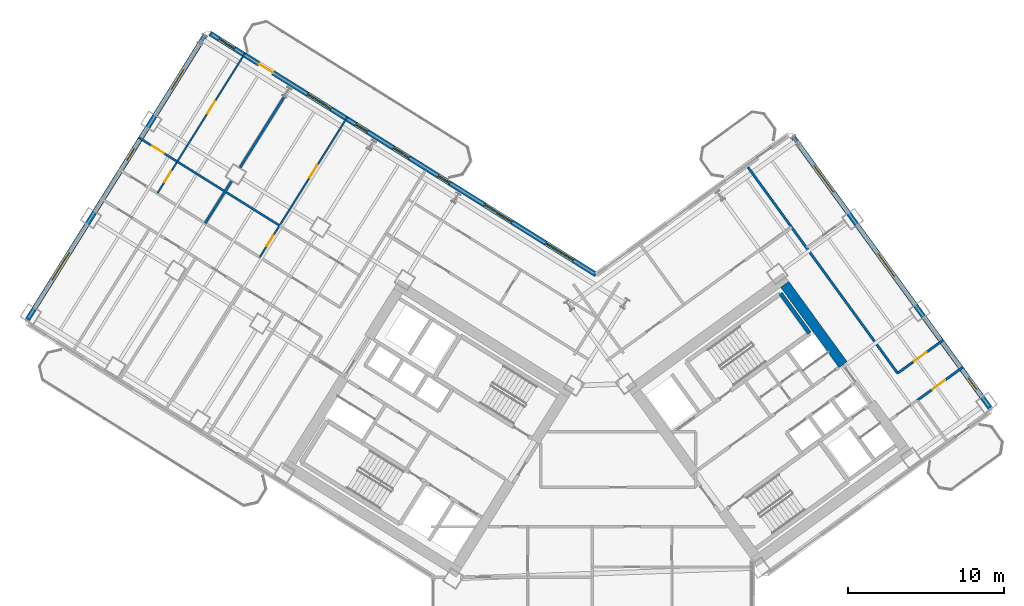
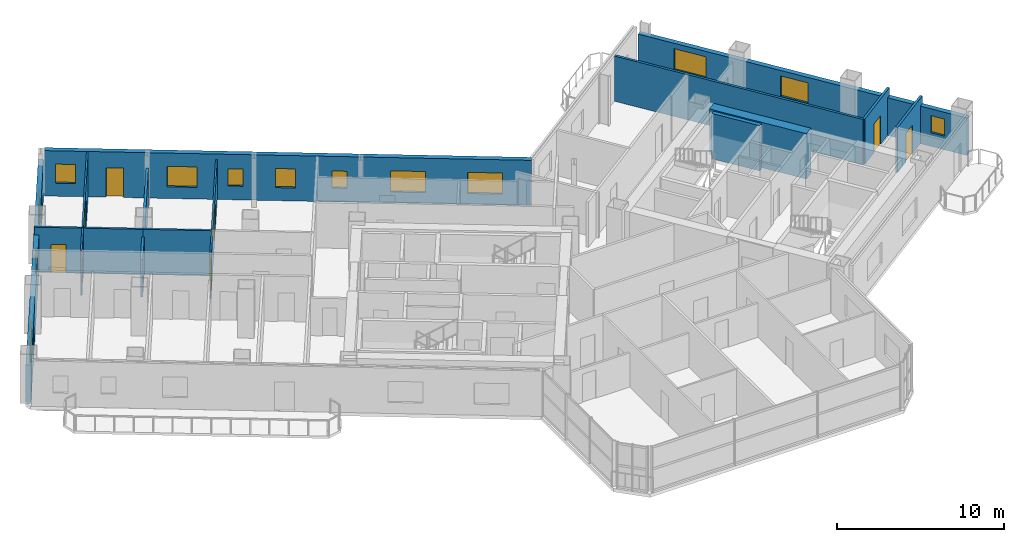
# One storey, part 15 of 21: 15 walls, 13 windows, 8 doors, 21 openings.
"""IFC4 building model written with IfcOpenShell, lengths in metres."""

from ifc_helpers import new_model, si_unit, direction, frame, frame_2d, origin, place, context, subcontext, project, spatial, rectangle, extrude, source, transform, mapped, material, layer, layer_set, type_object, element, fill, save


model = new_model("IFC4")

# Units and contexts
model_context = context("Model", 3, precision=1e-05, world=origin(), true_north=direction((0.0, 1.0)))
body_context = subcontext(model_context, "Body", "Model", "MODEL_VIEW")
ifc_project = project(units=[si_unit("LENGTHUNIT", "METRE"), si_unit("AREAUNIT", "SQUARE_METRE"), si_unit("VOLUMEUNIT", "CUBIC_METRE"), si_unit("PLANEANGLEUNIT", "RADIAN"), si_unit("MASSUNIT", "GRAM", prefix="KILO")], contexts=[model_context])

# Site, building, storey
site_placement = place(None, origin())
site = spatial("IfcSite", under=ifc_project, at=site_placement, CompositionType="ELEMENT")
building_placement = place(site_placement, origin())
building = spatial("IfcBuilding", under=site, at=building_placement, Name="Tlacorven Tower", CompositionType="ELEMENT")
storey_placement = place(building_placement, frame((0.0, 0.0, 81.0)))
storey = spatial("IfcBuildingStorey", under=building, at=storey_placement, Name="L20", CompositionType="ELEMENT", Elevation=81.0)

# Walls
ifc_material_1 = material(Name="Concrete C60/75", Category="concrete")
ifc_layer_1 = layer(ifc_material_1, 0.64990234375)
ifc_layer_set_1 = layer_set([ifc_layer_1], Name="Concrete C60/75")
wall_type_1 = type_object("IfcWallType", Name="WL-COR-650", PredefinedType="SHEAR", material=ifc_layer_set_1)
wall_1_placement = place(storey_placement, frame((58.06396484375, 25.8134765625, 0.0), z_axis=(0.0, 0.0, 1.0), x_axis=(-0.58777996584, 0.809020835181, 0.0)))
element("IfcWall", 1, at=wall_1_placement, inside=storey, type_object=wall_type_1, Name="L20 E core end wall E2.2", PredefinedType="SHEAR", context=body_context, shape_type="SweptSolid", body=[
    extrude(rectangle(XDim=6.375, YDim=0.64990234375, at=frame_2d((3.1875, 0.0))), origin(), (0.0, 0.0, 1.0), 3.320068359375),
])
ifc_material_2 = material(Name="Gypsum plasterboard acoustic partition", Category="gypsum")
ifc_layer_2 = layer(ifc_material_2, 0.159912109375)
ifc_layer_set_2 = layer_set([ifc_layer_2], Name="Gypsum plasterboard acoustic partition")
wall_type_2 = type_object("IfcWallType", Name="WL-DEM-160", PredefinedType="PARTITIONING", material=ifc_layer_set_2)
wall_2_placement = place(storey_placement, frame((22.179931640625, 43.00634765625, 0.0), z_axis=(0.0, 0.0, 1.0), x_axis=(-0.529937421401, -0.848036750028, 0.0)))
element("IfcWall", 2, at=wall_2_placement, inside=storey, type_object=wall_type_2, Name="L20 WS Demising Wall 1", PredefinedType="PARTITIONING", context=body_context, shape_type="SweptSolid", body=[
    extrude(rectangle(XDim=5.35107421875, YDim=0.159912109375, at=frame_2d((2.675537109375, 0.0))), origin(), (0.0, 0.0, 1.0), 2.7451171875),
])
wall_3_placement = place(storey_placement, frame((18.801513671875, 37.60009765625, 0.0), z_axis=(0.0, 0.0, 1.0), x_axis=(-0.529875025416, -0.848075738033, 0.0)))
element("IfcWall", 3, at=wall_3_placement, inside=storey, type_object=wall_type_2, Name="L20 WS Demising Wall 1", PredefinedType="PARTITIONING", context=body_context, shape_type="SweptSolid", body=[
    extrude(rectangle(XDim=3.18798828125, YDim=0.159912109375, at=frame_2d((1.593994140625, 0.0))), origin(), (0.0, 0.0, 1.0), 2.7451171875),
])
wall_4_placement = place(storey_placement, frame((61.564208984375, 25.266357421875, 0.0), z_axis=(0.0, 0.0, 1.0), x_axis=(-0.587784527444, 0.809017521007, 0.0)))
element("IfcWall", 4, at=wall_4_placement, inside=storey, type_object=wall_type_2, Name="L20 partition 94", PredefinedType="PARTITIONING", context=body_context, shape_type="SweptSolid", body=[
    extrude(rectangle(XDim=16.35009765625, YDim=0.159912109375, at=frame_2d((8.175048828125, 0.0))), origin(), (0.0, 0.0, 1.0), 3.31005859375),
])

# Wall, opening, door
wall_5_placement = place(storey_placement, frame((62.827880859375, 23.52685546875, 0.0), z_axis=(0.0, 0.0, 1.0), x_axis=(0.809003564202, 0.587803736896, 0.0)))
wall_5 = element("IfcWall", 5, at=wall_5_placement, inside=storey, type_object=wall_type_2, Name="L20 partition 96", PredefinedType="PARTITIONING", context=body_context, shape_type="SweptSolid", body=[
    extrude(rectangle(XDim=3.630126953125, YDim=0.159912109375, at=frame_2d((1.81494140625, 0.0))), origin(), (0.0, 0.0, 1.0), 3.31005859375),
])
opening_1_placement = place(wall_5_placement, frame((1.199951171875, 0.0, 0.0)))
opening_1 = element("IfcOpeningElement", 6, at=opening_1_placement, cuts=wall_5, Name="Opening D11", PredefinedType="OPENING", context=body_context, shape_type="SweptSolid", body=[
    extrude(rectangle(XDim=1.0, YDim=2.10009765625, at=frame_2d((0.5, 1.050048828125))), frame((0.0, 0.08984375, 0.0), z_axis=(0.0, -1.0, 0.0), x_axis=(1.0, 0.0, 0.0)), (0.0, 0.0, 1.0), 0.179931640625),
])
ifc_material_3 = material(Name="Fire-rated steel door assembly", Category="steel")
door_type_1 = type_object("IfcDoorType", Name="DR-FLT-FD60-1000", OperationType="NOTDEFINED", PredefinedType="DOOR", material=ifc_material_3)
shared_shape_1 = source(origin(), body_context, "Body", "SweptSolid", [
    extrude(rectangle(XDim=1.0, YDim=2.10009765625, at=frame_2d((0.5, 1.050048828125))), frame((0.0, 0.02490234375, 0.0), z_axis=(0.0, -1.0, 0.0), x_axis=(1.0, 0.0, 0.0)), (0.0, 0.0, 1.0), 0.050048828125),
])
door_1_placement = place(opening_1_placement, frame((1.0, 0.0, 0.0), z_axis=(0.0, 0.0, 1.0), x_axis=(-1.0, 0.0, 0.0)))
door_1 = element("IfcDoor", 7, at=door_1_placement, inside=storey, type_object=door_type_1, Name="L20 door 059", OperationType="SINGLE_SWING_LEFT", OverallHeight=2.10009765625, OverallWidth=1.0, PredefinedType="DOOR", context=body_context, shape_type="MappedRepresentation", body=[
    mapped(shared_shape_1, transform((0.0, 0.0, 0.0), scale=1.0)),
])
fill(opening_1, door_1)

wall_6_placement = place(storey_placement, frame((61.564208984375, 25.266357421875, 0.0), z_axis=(0.0, 0.0, 1.0), x_axis=(0.809012309495, 0.587791700422, 0.0)))
wall_6 = element("IfcWall", 8, at=wall_6_placement, inside=storey, type_object=wall_type_2, Name="L20 partition 97", PredefinedType="PARTITIONING", context=body_context, shape_type="SweptSolid", body=[
    extrude(rectangle(XDim=3.6298828125, YDim=0.159912109375, at=frame_2d((1.81494140625, 0.0))), origin(), (0.0, 0.0, 1.0), 3.31005859375),
])
opening_2_placement = place(wall_6_placement, frame((1.304931640625, 0.0, 0.0)))
opening_2 = element("IfcOpeningElement", 9, at=opening_2_placement, cuts=wall_6, Name="Opening D11", PredefinedType="OPENING", context=body_context, shape_type="SweptSolid", body=[
    extrude(rectangle(XDim=1.0, YDim=2.10009765625, at=frame_2d((0.5, 1.050048828125))), frame((0.0, 0.08984375, 0.0), z_axis=(0.0, -1.0, 0.0), x_axis=(1.0, 0.0, 0.0)), (0.0, 0.0, 1.0), 0.179931640625),
])
door_2_placement = place(opening_2_placement, origin())
door_2 = element("IfcDoor", 10, at=door_2_placement, inside=storey, type_object=door_type_1, Name="L20 door 057", OperationType="SINGLE_SWING_LEFT", OverallHeight=2.10009765625, OverallWidth=1.0, PredefinedType="DOOR", context=body_context, shape_type="MappedRepresentation", body=[
    mapped(shared_shape_1, transform((0.0, 0.0, 0.0), scale=1.0)),
])
fill(opening_2, door_2)

# Wall, openings, windows
ifc_material_4 = material(Name="Precast concrete C45/55", Category="concrete")
ifc_layer_3 = layer(ifc_material_4, 0.320068359375)
ifc_layer_set_3 = layer_set([ifc_layer_3], Name="Precast concrete C45/55")
wall_type_3 = type_object("IfcWallType", Name="WL-EXT-320", PredefinedType="STANDARD", material=ifc_layer_set_3)
wall_7_placement = place(storey_placement, frame((5.699951171875, 28.71044921875, 0.0), z_axis=(0.0, 0.0, 1.0), x_axis=(0.529923711467, 0.8480453172, 0.0)))
wall_7 = element("IfcWall", 11, at=wall_7_placement, inside=storey, type_object=wall_type_3, Name="L20 Masonry-Frame Recessed Facade Wall 2", PredefinedType="STANDARD", context=body_context, shape_type="SweptSolid", body=[
    extrude(rectangle(XDim=21.58740234375, YDim=0.320068359375, at=frame_2d((10.793701171875, 0.0))), origin(), (0.0, 0.0, 1.0), 2.7451171875),
])
opening_3_placement = place(wall_7_placement, frame((2.99365234375, 0.0, 0.800048828125)))
opening_3 = element("IfcOpeningElement", 12, at=opening_3_placement, cuts=wall_7, Name="Opening WN04", PredefinedType="OPENING", context=body_context, shape_type="SweptSolid", body=[
    extrude(rectangle(XDim=2.10009765625, YDim=1.550048828125, at=frame_2d((1.050048828125, 0.77490234375))), frame((0.0, 0.169921875, 0.0), z_axis=(0.0, -1.0, 0.0), x_axis=(1.0, 0.0, 0.0)), (0.0, 0.0, 1.0), 0.340087890625),
])
opening_4_placement = place(wall_7_placement, frame((12.048583984375, 0.0, 1.0)))
opening_4 = element("IfcOpeningElement", 13, at=opening_4_placement, cuts=wall_7, Name="Opening WN05", PredefinedType="OPENING", context=body_context, shape_type="SweptSolid", body=[
    extrude(rectangle(XDim=0.89990234375, YDim=1.25, at=frame_2d((0.449951171875, 0.625))), frame((0.0, 0.169921875, 0.0), z_axis=(0.0, -1.0, 0.0), x_axis=(1.0, 0.0, 0.0)), (0.0, 0.0, 1.0), 0.340087890625),
])
opening_5_placement = place(wall_7_placement, frame((17.43115234375, 0.0, 0.85009765625)))
opening_5 = element("IfcOpeningElement", 14, at=opening_5_placement, cuts=wall_7, Name="Opening WN02", PredefinedType="OPENING", context=body_context, shape_type="SweptSolid", body=[
    extrude(rectangle(XDim=1.5, YDim=1.5, at=frame_2d((0.75, 0.75))), frame((0.0, 0.169921875, 0.0), z_axis=(0.0, -1.0, 0.0), x_axis=(1.0, 0.0, 0.0)), (0.0, 0.0, 1.0), 0.340087890625),
])
ifc_material_5 = material(Name="Dark solar low-E double glazing in anodised aluminium frame", Category="aluminium")
window_type_1 = type_object("IfcWindowType", Name="WN-APT-2100X1750", PartitioningType="SINGLE_PANEL", PredefinedType="WINDOW", material=ifc_material_5)
shared_shape_2 = source(origin(), body_context, "Body", "SweptSolid", [
    extrude(rectangle(XDim=2.10009765625, YDim=1.550048828125, at=frame_2d((1.050048828125, 0.77490234375))), frame((0.0, 0.030029296875, 0.0), z_axis=(0.0, -1.0, 0.0), x_axis=(1.0, 0.0, 0.0)), (0.0, 0.0, 1.0), 0.06005859375),
])
window_1_placement = place(opening_3_placement, origin())
window_1 = element("IfcWindow", 15, at=window_1_placement, inside=storey, type_object=window_type_1, Name="L20 Recessed Masonry-Frame Window L20-02.1", OverallHeight=1.550048828125, OverallWidth=2.10009765625, PartitioningType="SINGLE_PANEL", PredefinedType="WINDOW", context=body_context, shape_type="MappedRepresentation", body=[
    mapped(shared_shape_2, transform((0.0, 0.0, 0.0), scale=1.0)),
])
fill(opening_3, window_1)
window_type_2 = type_object("IfcWindowType", Name="WN-APT-1500X1650", PartitioningType="SINGLE_PANEL", PredefinedType="WINDOW", material=ifc_material_5)
shared_shape_3 = source(origin(), body_context, "Body", "SweptSolid", [
    extrude(rectangle(XDim=1.5, YDim=1.5, at=frame_2d((0.75, 0.75))), frame((0.0, 0.030029296875, 0.0), z_axis=(0.0, -1.0, 0.0), x_axis=(1.0, 0.0, 0.0)), (0.0, 0.0, 1.0), 0.06005859375),
])
window_2_placement = place(opening_5_placement, origin())
window_2 = element("IfcWindow", 16, at=window_2_placement, inside=storey, type_object=window_type_2, Name="L20 Recessed Masonry-Frame Window L20-02.3", OverallHeight=1.5, OverallWidth=1.5, PartitioningType="SINGLE_PANEL", PredefinedType="WINDOW", context=body_context, shape_type="MappedRepresentation", body=[
    mapped(shared_shape_3, transform((0.0, 0.0, 0.0), scale=1.0)),
])
fill(opening_5, window_2)
window_type_3 = type_object("IfcWindowType", Name="WN-APT-0900X1350", PartitioningType="SINGLE_PANEL", PredefinedType="WINDOW", material=ifc_material_5)
shared_shape_4 = source(origin(), body_context, "Body", "SweptSolid", [
    extrude(rectangle(XDim=0.89990234375, YDim=1.25, at=frame_2d((0.449951171875, 0.625))), frame((0.0, 0.030029296875, 0.0), z_axis=(0.0, -1.0, 0.0), x_axis=(1.0, 0.0, 0.0)), (0.0, 0.0, 1.0), 0.06005859375),
])
window_3_placement = place(opening_4_placement, origin())
window_3 = element("IfcWindow", 17, at=window_3_placement, inside=storey, type_object=window_type_3, Name="L20 Recessed Masonry-Frame Window L20-02.2", OverallHeight=1.25, OverallWidth=0.89990234375, PartitioningType="SINGLE_PANEL", PredefinedType="WINDOW", context=body_context, shape_type="MappedRepresentation", body=[
    mapped(shared_shape_4, transform((0.0, 0.0, 0.0), scale=1.0)),
])
fill(opening_4, window_3)

# Wall, openings, door, windows
wall_8_placement = place(storey_placement, frame((17.423828125, 47.083251953125, 0.0), z_axis=(0.0, 0.0, 1.0), x_axis=(0.848049927979, -0.529916332693, 0.0)))
wall_8 = element("IfcWall", 18, at=wall_8_placement, inside=storey, type_object=wall_type_3, Name="L20 Masonry-Frame Recessed Facade Wall 3", PredefinedType="STANDARD", context=body_context, shape_type="SweptSolid", body=[
    extrude(rectangle(XDim=29.22314453125, YDim=0.320068359375, at=frame_2d((14.611572265625, 0.0))), origin(), (0.0, 0.0, 1.0), 3.320068359375),
])
opening_6_placement = place(wall_8_placement, frame((3.708740234375, 0.0, 0.0)))
opening_6 = element("IfcOpeningElement", 19, at=opening_6_placement, cuts=wall_8, Name="Opening D06", PredefinedType="OPENING", context=body_context, shape_type="SweptSolid", body=[
    extrude(rectangle(XDim=1.050048828125, YDim=2.14990234375, at=frame_2d((0.52490234375, 1.074951171875))), frame((0.0, 0.169921875, 0.0), z_axis=(0.0, -1.0, 0.0), x_axis=(1.0, 0.0, 0.0)), (0.0, 0.0, 1.0), 0.340087890625),
])
opening_7_placement = place(wall_8_placement, frame((0.659423828125, 0.0, 0.949951171875)))
opening_7 = element("IfcOpeningElement", 20, at=opening_7_placement, cuts=wall_8, Name="Opening WN03", PredefinedType="OPENING", context=body_context, shape_type="SweptSolid", body=[
    extrude(rectangle(XDim=1.199951171875, YDim=1.39990234375, at=frame_2d((0.60009765625, 0.699951171875))), frame((0.0, 0.169921875, 0.0), z_axis=(0.0, -1.0, 0.0), x_axis=(1.0, 0.0, 0.0)), (0.0, 0.0, 1.0), 0.340087890625),
])
opening_8_placement = place(wall_8_placement, frame((7.36865234375, 0.0, 0.85009765625)))
opening_8 = element("IfcOpeningElement", 21, at=opening_8_placement, cuts=wall_8, Name="Opening WN01", PredefinedType="OPENING", context=body_context, shape_type="SweptSolid", body=[
    extrude(rectangle(XDim=1.800048828125, YDim=1.5, at=frame_2d((0.89990234375, 0.75))), frame((0.0, 0.169921875, 0.0), z_axis=(0.0, -1.0, 0.0), x_axis=(1.0, 0.0, 0.0)), (0.0, 0.0, 1.0), 0.340087890625),
])
opening_9_placement = place(wall_8_placement, frame((11.0087890625, 0.0, 1.0)))
opening_9 = element("IfcOpeningElement", 22, at=opening_9_placement, cuts=wall_8, Name="Opening WN05", PredefinedType="OPENING", context=body_context, shape_type="SweptSolid", body=[
    extrude(rectangle(XDim=0.89990234375, YDim=1.25, at=frame_2d((0.449951171875, 0.625))), frame((0.0, 0.169921875, 0.0), z_axis=(0.0, -1.0, 0.0), x_axis=(1.0, 0.0, 0.0)), (0.0, 0.0, 1.0), 0.340087890625),
])
opening_10_placement = place(wall_8_placement, frame((13.873779296875, 0.0, 0.949951171875)))
opening_10 = element("IfcOpeningElement", 23, at=opening_10_placement, cuts=wall_8, Name="Opening WN03", PredefinedType="OPENING", context=body_context, shape_type="SweptSolid", body=[
    extrude(rectangle(XDim=1.199951171875, YDim=1.39990234375, at=frame_2d((0.60009765625, 0.699951171875))), frame((0.0, 0.169921875, 0.0), z_axis=(0.0, -1.0, 0.0), x_axis=(1.0, 0.0, 0.0)), (0.0, 0.0, 1.0), 0.340087890625),
])
opening_11_placement = place(wall_8_placement, frame((17.253662109375, 0.0, 1.0)))
opening_11 = element("IfcOpeningElement", 24, at=opening_11_placement, cuts=wall_8, Name="Opening WN05", PredefinedType="OPENING", context=body_context, shape_type="SweptSolid", body=[
    extrude(rectangle(XDim=0.89990234375, YDim=1.25, at=frame_2d((0.449951171875, 0.625))), frame((0.0, 0.169921875, 0.0), z_axis=(0.0, -1.0, 0.0), x_axis=(1.0, 0.0, 0.0)), (0.0, 0.0, 1.0), 0.340087890625),
])
opening_12_placement = place(wall_8_placement, frame((20.763671875, 0.0, 0.800048828125)))
opening_12 = element("IfcOpeningElement", 25, at=opening_12_placement, cuts=wall_8, Name="Opening WN04", PredefinedType="OPENING", context=body_context, shape_type="SweptSolid", body=[
    extrude(rectangle(XDim=2.10009765625, YDim=1.550048828125, at=frame_2d((1.050048828125, 0.77490234375))), frame((0.0, 0.169921875, 0.0), z_axis=(0.0, -1.0, 0.0), x_axis=(1.0, 0.0, 0.0)), (0.0, 0.0, 1.0), 0.340087890625),
])
opening_13_placement = place(wall_8_placement, frame((25.4033203125, 0.0, 0.800048828125)))
opening_13 = element("IfcOpeningElement", 26, at=opening_13_placement, cuts=wall_8, Name="Opening WN04", PredefinedType="OPENING", context=body_context, shape_type="SweptSolid", body=[
    extrude(rectangle(XDim=2.10009765625, YDim=1.550048828125, at=frame_2d((1.050048828125, 0.77490234375))), frame((0.0, 0.169921875, 0.0), z_axis=(0.0, -1.0, 0.0), x_axis=(1.0, 0.0, 0.0)), (0.0, 0.0, 1.0), 0.340087890625),
])
ifc_material_6 = material(Name="Powder-coated aluminium and timber door", Category="wood")
door_type_2 = type_object("IfcDoorType", Name="DR-EXT-BALC-1050", OperationType="NOTDEFINED", PredefinedType="DOOR", material=ifc_material_6)
shared_shape_5 = source(origin(), body_context, "Body", "SweptSolid", [
    extrude(rectangle(XDim=1.050048828125, YDim=2.14990234375, at=frame_2d((0.52490234375, 1.074951171875))), frame((0.0, 0.02490234375, 0.0), z_axis=(0.0, -1.0, 0.0), x_axis=(1.0, 0.0, 0.0)), (0.0, 0.0, 1.0), 0.050048828125),
])
door_3_placement = place(opening_6_placement, origin())
door_3 = element("IfcDoor", 27, at=door_3_placement, inside=storey, type_object=door_type_2, Name="L20 Outdoor Access Door BAL-L20-W-IN", OperationType="SINGLE_SWING_RIGHT", OverallHeight=2.14990234375, OverallWidth=1.050048828125, PredefinedType="DOOR", context=body_context, shape_type="MappedRepresentation", body=[
    mapped(shared_shape_5, transform((0.0, 0.0, 0.0), scale=1.0)),
])
fill(opening_6, door_3)
window_4_placement = place(opening_12_placement, origin())
window_4 = element("IfcWindow", 28, at=window_4_placement, inside=storey, type_object=window_type_1, Name="L20 Recessed Masonry-Frame Window L20-03.6", OverallHeight=1.550048828125, OverallWidth=2.10009765625, PartitioningType="SINGLE_PANEL", PredefinedType="WINDOW", context=body_context, shape_type="MappedRepresentation", body=[
    mapped(shared_shape_2, transform((0.0, 0.0, 0.0), scale=1.0)),
])
fill(opening_12, window_4)
window_5_placement = place(opening_13_placement, origin())
window_5 = element("IfcWindow", 29, at=window_5_placement, inside=storey, type_object=window_type_1, Name="L20 Recessed Masonry-Frame Window L20-03.7", OverallHeight=1.550048828125, OverallWidth=2.10009765625, PartitioningType="SINGLE_PANEL", PredefinedType="WINDOW", context=body_context, shape_type="MappedRepresentation", body=[
    mapped(shared_shape_2, transform((0.0, 0.0, 0.0), scale=1.0)),
])
fill(opening_13, window_5)
window_type_4 = type_object("IfcWindowType", Name="WN-APT-1200X1500", PartitioningType="SINGLE_PANEL", PredefinedType="WINDOW", material=ifc_material_5)
shared_shape_6 = source(origin(), body_context, "Body", "SweptSolid", [
    extrude(rectangle(XDim=1.199951171875, YDim=1.39990234375, at=frame_2d((0.60009765625, 0.699951171875))), frame((0.0, 0.030029296875, 0.0), z_axis=(0.0, -1.0, 0.0), x_axis=(1.0, 0.0, 0.0)), (0.0, 0.0, 1.0), 0.06005859375),
])
window_6_placement = place(opening_7_placement, origin())
window_6 = element("IfcWindow", 30, at=window_6_placement, inside=storey, type_object=window_type_4, Name="L20 Recessed Masonry-Frame Window L20-03.1", OverallHeight=1.39990234375, OverallWidth=1.199951171875, PartitioningType="SINGLE_PANEL", PredefinedType="WINDOW", context=body_context, shape_type="MappedRepresentation", body=[
    mapped(shared_shape_6, transform((0.0, 0.0, 0.0), scale=1.0)),
])
fill(opening_7, window_6)
window_7_placement = place(opening_10_placement, origin())
window_7 = element("IfcWindow", 31, at=window_7_placement, inside=storey, type_object=window_type_4, Name="L20 Recessed Masonry-Frame Window L20-03.4", OverallHeight=1.39990234375, OverallWidth=1.199951171875, PartitioningType="SINGLE_PANEL", PredefinedType="WINDOW", context=body_context, shape_type="MappedRepresentation", body=[
    mapped(shared_shape_6, transform((0.0, 0.0, 0.0), scale=1.0)),
])
fill(opening_10, window_7)
window_type_5 = type_object("IfcWindowType", Name="WN-APT-1800X1650", PartitioningType="SINGLE_PANEL", PredefinedType="WINDOW", material=ifc_material_5)
shared_shape_7 = source(origin(), body_context, "Body", "SweptSolid", [
    extrude(rectangle(XDim=1.800048828125, YDim=1.5, at=frame_2d((0.89990234375, 0.75))), frame((0.0, 0.030029296875, 0.0), z_axis=(0.0, -1.0, 0.0), x_axis=(1.0, 0.0, 0.0)), (0.0, 0.0, 1.0), 0.06005859375),
])
window_8_placement = place(opening_8_placement, origin())
window_8 = element("IfcWindow", 32, at=window_8_placement, inside=storey, type_object=window_type_5, Name="L20 Recessed Masonry-Frame Window L20-03.2", OverallHeight=1.5, OverallWidth=1.800048828125, PartitioningType="SINGLE_PANEL", PredefinedType="WINDOW", context=body_context, shape_type="MappedRepresentation", body=[
    mapped(shared_shape_7, transform((0.0, 0.0, 0.0), scale=1.0)),
])
fill(opening_8, window_8)
window_9_placement = place(opening_9_placement, origin())
window_9 = element("IfcWindow", 33, at=window_9_placement, inside=storey, type_object=window_type_3, Name="L20 Recessed Masonry-Frame Window L20-03.3", OverallHeight=1.25, OverallWidth=0.89990234375, PartitioningType="SINGLE_PANEL", PredefinedType="WINDOW", context=body_context, shape_type="MappedRepresentation", body=[
    mapped(shared_shape_4, transform((0.0, 0.0, 0.0), scale=1.0)),
])
fill(opening_9, window_9)
window_10_placement = place(opening_11_placement, origin())
window_10 = element("IfcWindow", 34, at=window_10_placement, inside=storey, type_object=window_type_3, Name="L20 Recessed Masonry-Frame Window L20-03.5", OverallHeight=1.25, OverallWidth=0.89990234375, PartitioningType="SINGLE_PANEL", PredefinedType="WINDOW", context=body_context, shape_type="MappedRepresentation", body=[
    mapped(shared_shape_4, transform((0.0, 0.0, 0.0), scale=1.0)),
])
fill(opening_11, window_10)

# Wall, openings, windows
wall_9_placement = place(storey_placement, frame((54.810302734375, 40.49951171875, 0.0), z_axis=(0.0, 0.0, 1.0), x_axis=(0.587783625747, -0.809018176127, 0.0)))
wall_9 = element("IfcWall", 35, at=wall_9_placement, inside=storey, type_object=wall_type_3, Name="L20 Masonry-Frame Recessed Facade Wall 5", PredefinedType="STANDARD", context=body_context, shape_type="SweptSolid", body=[
    extrude(rectangle(XDim=21.58740234375, YDim=0.320068359375, at=frame_2d((10.793701171875, 0.0))), origin(), (0.0, 0.0, 1.0), 2.7451171875),
])
opening_14_placement = place(wall_9_placement, frame((2.356201171875, 0.0, 0.800048828125)))
opening_14 = element("IfcOpeningElement", 36, at=opening_14_placement, cuts=wall_9, Name="Opening WN04", PredefinedType="OPENING", context=body_context, shape_type="SweptSolid", body=[
    extrude(rectangle(XDim=2.10009765625, YDim=1.550048828125, at=frame_2d((1.050048828125, 0.77490234375))), frame((0.0, 0.169921875, 0.0), z_axis=(0.0, -1.0, 0.0), x_axis=(1.0, 0.0, 0.0)), (0.0, 0.0, 1.0), 0.340087890625),
])
opening_15_placement = place(wall_9_placement, frame((9.34375, 0.0, 0.85009765625)))
opening_15 = element("IfcOpeningElement", 37, at=opening_15_placement, cuts=wall_9, Name="Opening WN01", PredefinedType="OPENING", context=body_context, shape_type="SweptSolid", body=[
    extrude(rectangle(XDim=1.800048828125, YDim=1.5, at=frame_2d((0.89990234375, 0.75))), frame((0.0, 0.169921875, 0.0), z_axis=(0.0, -1.0, 0.0), x_axis=(1.0, 0.0, 0.0)), (0.0, 0.0, 1.0), 0.340087890625),
])
opening_16_placement = place(wall_9_placement, frame((19.208740234375, 0.0, 1.0)))
opening_16 = element("IfcOpeningElement", 38, at=opening_16_placement, cuts=wall_9, Name="Opening WN05", PredefinedType="OPENING", context=body_context, shape_type="SweptSolid", body=[
    extrude(rectangle(XDim=0.89990234375, YDim=1.25, at=frame_2d((0.449951171875, 0.625))), frame((0.0, 0.169921875, 0.0), z_axis=(0.0, -1.0, 0.0), x_axis=(1.0, 0.0, 0.0)), (0.0, 0.0, 1.0), 0.340087890625),
])
window_11_placement = place(opening_14_placement, origin())
window_11 = element("IfcWindow", 39, at=window_11_placement, inside=storey, type_object=window_type_1, Name="L20 Recessed Masonry-Frame Window L20-05.1", OverallHeight=1.550048828125, OverallWidth=2.10009765625, PartitioningType="SINGLE_PANEL", PredefinedType="WINDOW", context=body_context, shape_type="MappedRepresentation", body=[
    mapped(shared_shape_2, transform((0.0, 0.0, 0.0), scale=1.0)),
])
fill(opening_14, window_11)
window_12_placement = place(opening_15_placement, origin())
window_12 = element("IfcWindow", 40, at=window_12_placement, inside=storey, type_object=window_type_5, Name="L20 Recessed Masonry-Frame Window L20-05.2", OverallHeight=1.5, OverallWidth=1.800048828125, PartitioningType="SINGLE_PANEL", PredefinedType="WINDOW", context=body_context, shape_type="MappedRepresentation", body=[
    mapped(shared_shape_7, transform((0.0, 0.0, 0.0), scale=1.0)),
])
fill(opening_15, window_12)
window_13_placement = place(opening_16_placement, origin())
window_13 = element("IfcWindow", 41, at=window_13_placement, inside=storey, type_object=window_type_3, Name="L20 Recessed Masonry-Frame Window L20-05.3", OverallHeight=1.25, OverallWidth=0.89990234375, PartitioningType="SINGLE_PANEL", PredefinedType="WINDOW", context=body_context, shape_type="MappedRepresentation", body=[
    mapped(shared_shape_4, transform((0.0, 0.0, 0.0), scale=1.0)),
])
fill(opening_16, window_13)

# Wall, openings, doors
ifc_material_7 = material(Name="Gypsum plasterboard partition", Category="gypsum")
ifc_layer_4 = layer(ifc_material_7, 0.110107421875)
ifc_layer_set_4 = layer_set([ifc_layer_4], Name="Gypsum plasterboard partition")
wall_type_4 = type_object("IfcWallType", Name="WL-INT-110", PredefinedType="PARTITIONING", material=ifc_layer_set_4)
wall_10_placement = place(storey_placement, frame((26.23828125, 41.716796875, 0.0), z_axis=(0.0, 0.0, 1.0), x_axis=(-0.529939012684, -0.848035755635, 0.0)))
wall_10 = element("IfcWall", 42, at=wall_10_placement, inside=storey, type_object=wall_type_4, Name="L20 partition 62", PredefinedType="PARTITIONING", context=body_context, shape_type="SweptSolid", body=[
    extrude(rectangle(XDim=10.619873046875, YDim=0.110107421875, at=frame_2d((5.31005859375, 0.0))), origin(), (0.0, 0.0, 1.0), 2.93505859375),
])
opening_17_placement = place(wall_10_placement, frame((8.97998046875, 0.0, 0.0)))
opening_17 = element("IfcOpeningElement", 43, at=opening_17_placement, cuts=wall_10, Name="Opening D22", PredefinedType="OPENING", context=body_context, shape_type="SweptSolid", body=[
    extrude(rectangle(XDim=0.780029296875, YDim=2.050048828125, at=frame_2d((0.39013671875, 1.02490234375))), frame((0.0, 0.06494140625, 0.0), z_axis=(0.0, -1.0, 0.0), x_axis=(1.0, 0.0, 0.0)), (0.0, 0.0, 1.0), 0.130126953125),
])
opening_18_placement = place(wall_10_placement, frame((3.64990234375, 0.0, 0.0)))
opening_18 = element("IfcOpeningElement", 44, at=opening_18_placement, cuts=wall_10, Name="Opening D12", PredefinedType="OPENING", context=body_context, shape_type="SweptSolid", body=[
    extrude(rectangle(XDim=0.919921875, YDim=2.080078125, at=frame_2d((0.4599609375, 1.0400390625))), frame((0.0, 0.06494140625, 0.0), z_axis=(0.0, -1.0, 0.0), x_axis=(1.0, 0.0, 0.0)), (0.0, 0.0, 1.0), 0.130126953125),
])
door_type_3 = type_object("IfcDoorType", Name="DR-INT-WET-0780", OperationType="NOTDEFINED", PredefinedType="DOOR", material=ifc_material_6)
shared_shape_8 = source(origin(), body_context, "Body", "SweptSolid", [
    extrude(rectangle(XDim=0.780029296875, YDim=2.050048828125, at=frame_2d((0.39013671875, 1.02490234375))), frame((0.0, 0.02490234375, 0.0), z_axis=(0.0, -1.0, 0.0), x_axis=(1.0, 0.0, 0.0)), (0.0, 0.0, 1.0), 0.050048828125),
])
door_4_placement = place(opening_17_placement, origin())
door_4 = element("IfcDoor", 45, at=door_4_placement, inside=storey, type_object=door_type_3, Name="L20 door 032", OperationType="SINGLE_SWING_RIGHT", OverallHeight=2.050048828125, OverallWidth=0.780029296875, PredefinedType="DOOR", context=body_context, shape_type="MappedRepresentation", body=[
    mapped(shared_shape_8, transform((0.0, 0.0, 0.0), scale=1.0)),
])
fill(opening_17, door_4)
door_type_4 = type_object("IfcDoorType", Name="DR-INT-ROOM-0920", OperationType="NOTDEFINED", PredefinedType="DOOR", material=ifc_material_6)
shared_shape_9 = source(origin(), body_context, "Body", "SweptSolid", [
    extrude(rectangle(XDim=0.919921875, YDim=2.080078125, at=frame_2d((0.4599609375, 1.0400390625))), frame((0.0, 0.02490234375, 0.0), z_axis=(0.0, -1.0, 0.0), x_axis=(1.0, 0.0, 0.0)), (0.0, 0.0, 1.0), 0.050048828125),
])
door_5_placement = place(opening_18_placement, origin())
door_5 = element("IfcDoor", 46, at=door_5_placement, inside=storey, type_object=door_type_4, Name="L20 door 033", OperationType="SINGLE_SWING_LEFT", OverallHeight=2.080078125, OverallWidth=0.919921875, PredefinedType="DOOR", context=body_context, shape_type="MappedRepresentation", body=[
    mapped(shared_shape_9, transform((0.0, 0.0, 0.0), scale=1.0)),
])
fill(opening_18, door_5)

wall_11_placement = place(storey_placement, frame((19.669921875, 45.821044921875, 0.0), z_axis=(0.0, 0.0, 1.0), x_axis=(-0.529922479612, -0.848046086956, 0.0)))
wall_11 = element("IfcWall", 47, at=wall_11_placement, inside=storey, type_object=wall_type_4, Name="L20 partition 66", PredefinedType="PARTITIONING", context=body_context, shape_type="SweptSolid", body=[
    extrude(rectangle(XDim=10.619873046875, YDim=0.110107421875, at=frame_2d((5.31005859375, 0.0))), origin(), (0.0, 0.0, 1.0), 3.31005859375),
])
opening_19_placement = place(wall_11_placement, frame((8.97998046875, 0.0, 0.0)))
opening_19 = element("IfcOpeningElement", 48, at=opening_19_placement, cuts=wall_11, Name="Opening D22", PredefinedType="OPENING", context=body_context, shape_type="SweptSolid", body=[
    extrude(rectangle(XDim=0.780029296875, YDim=2.050048828125, at=frame_2d((0.39013671875, 1.02490234375))), frame((0.0, 0.06494140625, 0.0), z_axis=(0.0, -1.0, 0.0), x_axis=(1.0, 0.0, 0.0)), (0.0, 0.0, 1.0), 0.130126953125),
])
opening_20_placement = place(wall_11_placement, frame((3.64990234375, 0.0, 0.0)))
opening_20 = element("IfcOpeningElement", 49, at=opening_20_placement, cuts=wall_11, Name="Opening D12", PredefinedType="OPENING", context=body_context, shape_type="SweptSolid", body=[
    extrude(rectangle(XDim=0.919921875, YDim=2.080078125, at=frame_2d((0.4599609375, 1.0400390625))), frame((0.0, 0.06494140625, 0.0), z_axis=(0.0, -1.0, 0.0), x_axis=(1.0, 0.0, 0.0)), (0.0, 0.0, 1.0), 0.130126953125),
])
door_6_placement = place(opening_19_placement, origin())
door_6 = element("IfcDoor", 50, at=door_6_placement, inside=storey, type_object=door_type_3, Name="L20 door 037", OperationType="SINGLE_SWING_LEFT", OverallHeight=2.050048828125, OverallWidth=0.780029296875, PredefinedType="DOOR", context=body_context, shape_type="MappedRepresentation", body=[
    mapped(shared_shape_8, transform((0.0, 0.0, 0.0), scale=1.0)),
])
fill(opening_19, door_6)
door_7_placement = place(opening_20_placement, origin())
door_7 = element("IfcDoor", 51, at=door_7_placement, inside=storey, type_object=door_type_4, Name="L20 door 038", OperationType="SINGLE_SWING_RIGHT", OverallHeight=2.080078125, OverallWidth=0.919921875, PredefinedType="DOOR", context=body_context, shape_type="MappedRepresentation", body=[
    mapped(shared_shape_9, transform((0.0, 0.0, 0.0), scale=1.0)),
])
fill(opening_20, door_7)

# Wall
ifc_material_8 = material(Name="Moisture-resistant gypsum plumbing wall", Category="gypsum")
ifc_layer_5 = layer(ifc_material_8, 0.139892578125)
ifc_layer_set_5 = layer_set([ifc_layer_5], Name="Moisture-resistant gypsum plumbing wall")
wall_type_5 = type_object("IfcWallType", Name="WL-PLM-140", PredefinedType="PLUMBINGWALL", material=ifc_layer_set_5)
wall_12_placement = place(storey_placement, frame((21.88232421875, 34.745849609375, 0.0), z_axis=(0.0, 0.0, 1.0), x_axis=(-0.848041525148, 0.529929779899, 0.0)))
element("IfcWall", 52, at=wall_12_placement, inside=storey, type_object=wall_type_5, Name="L20 partition 65", PredefinedType="PLUMBINGWALL", context=body_context, shape_type="SweptSolid", body=[
    extrude(rectangle(XDim=4.125244140625, YDim=0.139892578125, at=frame_2d((2.0625, 0.0))), origin(), (0.0, 0.0, 1.0), 3.31005859375),
])

# Wall, opening, door
wall_13_placement = place(storey_placement, frame((15.314208984375, 38.85009765625, 0.0), z_axis=(0.0, 0.0, 1.0), x_axis=(-0.848045593671, 0.529923269025, 0.0)))
wall_13 = element("IfcWall", 53, at=wall_13_placement, inside=storey, type_object=wall_type_5, Name="L20 partition 68", PredefinedType="PLUMBINGWALL", context=body_context, shape_type="SweptSolid", body=[
    extrude(rectangle(XDim=2.900146484375, YDim=0.139892578125, at=frame_2d((1.4501953125, 0.0))), origin(), (0.0, 0.0, 1.0), 3.31005859375),
])
opening_21_placement = place(wall_13_placement, frame((0.989990234375, 0.0, 0.0)))
opening_21 = element("IfcOpeningElement", 54, at=opening_21_placement, cuts=wall_13, Name="Opening D12", PredefinedType="OPENING", context=body_context, shape_type="SweptSolid", body=[
    extrude(rectangle(XDim=0.919921875, YDim=2.080078125, at=frame_2d((0.4599609375, 1.0400390625))), frame((0.0, 0.080078125, 0.0), z_axis=(0.0, -1.0, 0.0), x_axis=(1.0, 0.0, 0.0)), (0.0, 0.0, 1.0), 0.159912109375),
])
door_8_placement = place(opening_21_placement, origin())
door_8 = element("IfcDoor", 55, at=door_8_placement, inside=storey, type_object=door_type_4, Name="L20 door 036", OperationType="SINGLE_SWING_RIGHT", OverallHeight=2.080078125, OverallWidth=0.919921875, PredefinedType="DOOR", context=body_context, shape_type="MappedRepresentation", body=[
    mapped(shared_shape_9, transform((0.0, 0.0, 0.0), scale=1.0)),
])
fill(opening_21, door_8)

# Walls
wall_14_placement = place(storey_placement, frame((18.384033203125, 36.931884765625, 0.0), z_axis=(0.0, 0.0, 1.0), x_axis=(-0.848051346257, 0.52991406295, 0.0)))
element("IfcWall", 56, at=wall_14_placement, inside=storey, type_object=wall_type_5, Name="L20 partition 69", PredefinedType="PLUMBINGWALL", context=body_context, shape_type="SweptSolid", body=[
    extrude(rectangle(XDim=3.619873046875, YDim=0.139892578125, at=frame_2d((1.81005859375, 0.0))), origin(), (0.0, 0.0, 1.0), 3.31005859375),
])
ifc_material_9 = material(Name="Concrete C50/60", Category="concrete")
ifc_layer_6 = layer(ifc_material_9, 0.260009765625)
ifc_layer_set_6 = layer_set([ifc_layer_6], Name="Concrete C50/60")
wall_type_6 = type_object("IfcWallType", Name="WL-STW-260", PredefinedType="SHEAR", material=ifc_layer_set_6)
wall_15_placement = place(storey_placement, frame((55.906494140625, 27.83056640625, 0.0), z_axis=(0.0, 0.0, 1.0), x_axis=(-0.587804123638, 0.809003283204, 0.0)))
element("IfcWall", 57, at=wall_15_placement, inside=storey, type_object=wall_type_6, Name="L20 Stair E1 East Shear Wall", PredefinedType="SHEAR", context=body_context, shape_type="SweptSolid", body=[
    extrude(rectangle(XDim=3.159912109375, YDim=0.260009765625, at=frame_2d((1.580078125, 0.0))), origin(), (0.0, 0.0, 1.0), 3.320068359375),
])

save(model, "model.ifc")
